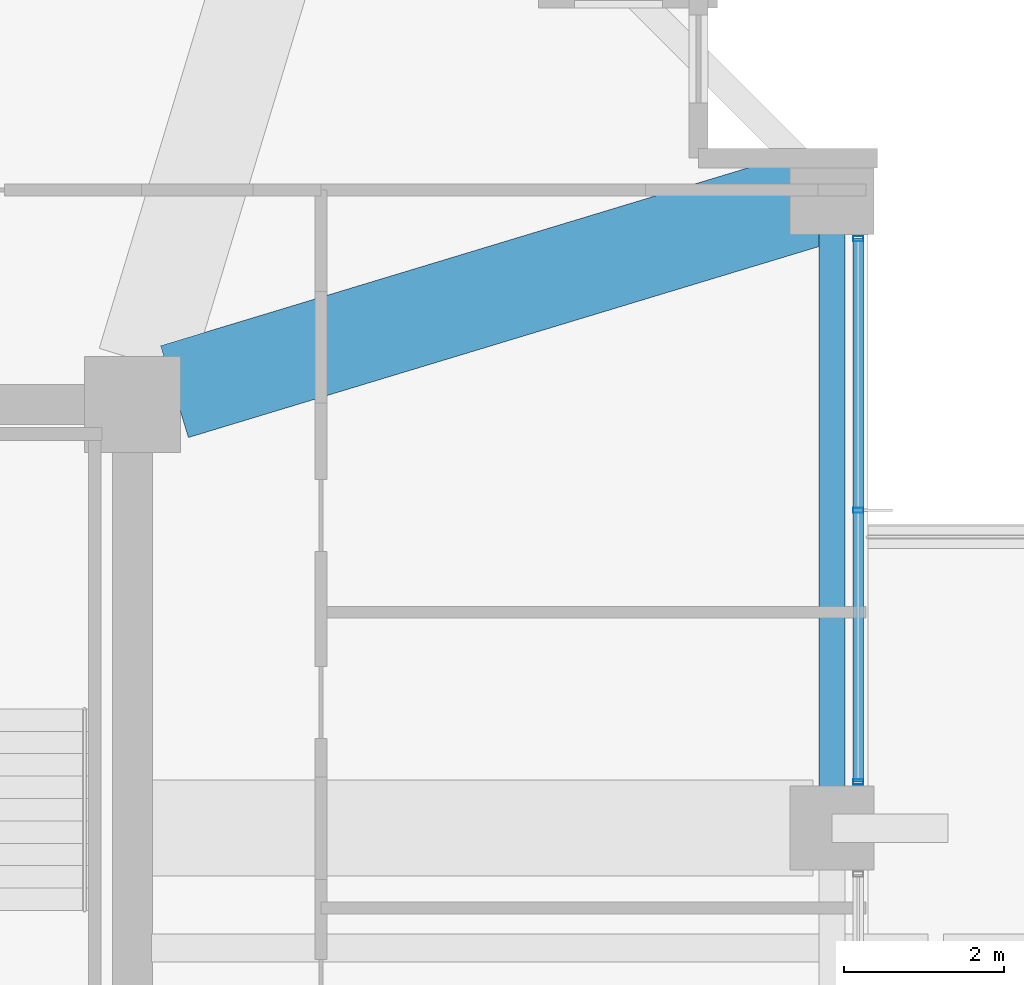
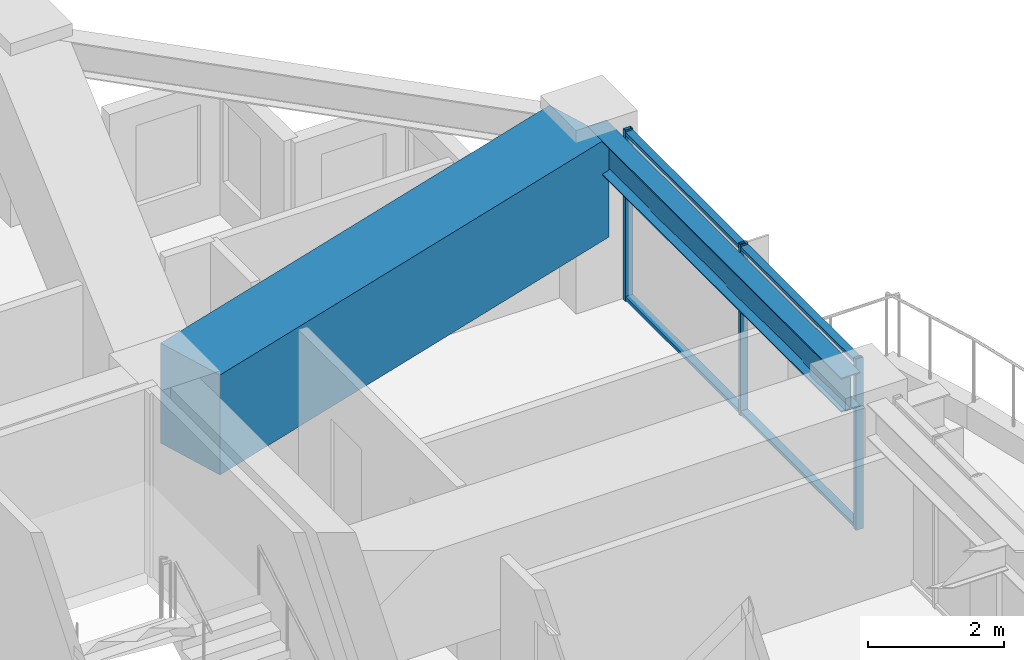
# One storey, part 19 of 36: 5 members, 2 beams, 1 element without a shape of its own.
"""IFC4 building model written with IfcOpenShell, lengths in metres."""

from ifc_helpers import new_model, si_unit, direction, frame, origin, origin_2d, place, context, subcontext, project, spatial, rectangle, hollow_rectangle, i_section, extrude, material, material_profile, profile_set, type_object, element, aggregate, save


model = new_model("IFC4")

# Units and contexts
model_context = context("Model", 3, precision=1e-05, world=origin(), true_north=direction((0.0, 1.0)))
body_context = subcontext(model_context, "Body", "Model", "MODEL_VIEW")
ifc_project = project(units=[si_unit("LENGTHUNIT", "METRE"), si_unit("AREAUNIT", "SQUARE_METRE"), si_unit("VOLUMEUNIT", "CUBIC_METRE"), si_unit("PLANEANGLEUNIT", "RADIAN"), si_unit("MASSUNIT", "GRAM", prefix="KILO")], contexts=[model_context])

# Site, building, storey
site_placement = place(None, origin())
site = spatial("IfcSite", under=ifc_project, at=site_placement, CompositionType="ELEMENT")
building_placement = place(site_placement, origin())
building = spatial("IfcBuilding", under=site, at=building_placement, Name="Kolvaren Belvedere", CompositionType="ELEMENT")
storey_placement = place(building_placement, frame((0.0, 0.0, 108.5)))
storey = spatial("IfcBuildingStorey", under=building, at=storey_placement, Name="L31", CompositionType="ELEMENT", Elevation=108.5)

# Beams
ifc_material_1 = material(Name="Structural steel ASTM A992 Grade 50", Category="steel")
ifc_material_profile_1 = material_profile(ifc_material_1, i_section(OverallWidth=0.324951171875, OverallDepth=0.615966796875, WebThickness=0.013916015625, FlangeThickness=0.021484375, FilletRadius=0.02001953125, at=origin_2d()), Name="W24X117")
ifc_profile_set_1 = profile_set([ifc_material_profile_1], Name="Structural steel ASTM A992 Grade 50")
beam_type_1 = type_object("IfcBeamType", Name="BM-SPAN-W24X117", PredefinedType="SPANDREL", material=ifc_profile_set_1)
beam_1_placement = place(storey_placement, frame((18.64990234375, 4.836181640625, 2.77197265625), z_axis=(0.0, 1.0, 0.0), x_axis=(-1.0, 0.0, 0.0)))
element("IfcBeam", 1, at=beam_1_placement, inside=storey, type_object=beam_type_1, Name="L31 Perimeter Spandrel E3-E4", PredefinedType="SPANDREL", context=body_context, shape_type="SweptSolid", body=[
    extrude(i_section(OverallWidth=0.324951171875, OverallDepth=0.615966796875, WebThickness=0.013916015625, FlangeThickness=0.021484375, FilletRadius=0.02001953125, at=origin_2d()), origin(), (0.0, 0.0, 1.0), 7.4775390625),
])
ifc_material_2 = material(Name="Concrete C50/60", Category="concrete")
ifc_material_profile_2 = material_profile(ifc_material_2, rectangle(XDim=1.199951171875, YDim=1.800048828125, at=origin_2d()), Name="RC 1200X1800")
ifc_profile_set_2 = profile_set([ifc_material_profile_2], Name="Concrete C50/60")
beam_type_2 = type_object("IfcBeamType", Name="BM-TG-1800", PredefinedType="BEAM", material=ifc_profile_set_2)
beam_2_placement = place(storey_placement, frame((10.426513671875, 10.059326171875, 2.179931640625), z_axis=(0.957069465398, 0.289858652454, 0.0), x_axis=(-0.289858652454, 0.957069465398, 0.0)))
element("IfcBeam", 2, at=beam_2_placement, inside=storey, type_object=beam_type_2, Name="L31 Corner Core-to-Perimeter Girder CC3-E4", PredefinedType="BEAM", context=body_context, shape_type="SweptSolid", body=[
    extrude(rectangle(XDim=1.199951171875, YDim=1.800048828125, at=origin_2d()), origin(), (0.0, 0.0, 1.0), 8.38232421875),
])

# Curtain wall, members
ifc_material_3 = material(Name="Anodised pale-metal aluminium AA 6063-T6", Category="aluminium")
curtain_wall_type = type_object("IfcCurtainWallType", Name="CW-Z3-WAIST", PredefinedType="NOTDEFINED", material=ifc_material_3)
curtain_wall_placement = place(storey_placement, origin())
curtain_wall = element("IfcCurtainWall", 3, at=curtain_wall_placement, inside=storey, type_object=curtain_wall_type, Name="L31 Unitised Curtain Wall FCW-L31-E1-B1", PredefinedType="NOTDEFINED")
ifc_material_4 = material(Name="Anodised pale-metal aluminium AA 6063-T6", Category="aluminium")
ifc_material_profile_3 = material_profile(ifc_material_4, hollow_rectangle(XDim=0.06494140625, YDim=0.1298828125, WallThickness=0.00390625, at=origin_2d()), Name="ALU-MUL-130X65")
ifc_profile_set_3 = profile_set([ifc_material_profile_3], Name="Anodised pale-metal aluminium AA 6063-T6")
member_type_1 = type_object("IfcMemberType", Name="CW-MUL-130", PredefinedType="MULLION", material=ifc_profile_set_3)
member_1_placement = place(storey_placement, frame((18.97998046875, 11.972412109375, 0.0), z_axis=(0.0, 0.0, 1.0), x_axis=(0.0, 1.0, 0.0)))
member_1 = element("IfcMember", 4, at=member_1_placement, type_object=member_type_1, Name="FCW-L31-E1-B1 Unitised Mullion 1", PredefinedType="MULLION", context=body_context, shape_type="SweptSolid", body=[
    extrude(hollow_rectangle(XDim=0.06494140625, YDim=0.1298828125, WallThickness=0.00390625, at=origin_2d()), origin(), (0.0, 0.0, 1.0), 3.080078125),
])
member_2_placement = place(storey_placement, frame((18.97998046875, 8.574951171875, 0.0), z_axis=(0.0, 0.0, 1.0), x_axis=(0.0, 1.0, 0.0)))
member_2 = element("IfcMember", 5, at=member_2_placement, type_object=member_type_1, Name="FCW-L31-E1-B1 Unitised Mullion 2", PredefinedType="MULLION", context=body_context, shape_type="SweptSolid", body=[
    extrude(hollow_rectangle(XDim=0.06494140625, YDim=0.1298828125, WallThickness=0.00390625, at=origin_2d()), origin(), (0.0, 0.0, 1.0), 3.080078125),
])
member_3_placement = place(storey_placement, frame((18.97998046875, 5.177490234375, 0.0), z_axis=(0.0, 0.0, 1.0), x_axis=(0.0, 1.0, 0.0)))
member_3 = element("IfcMember", 6, at=member_3_placement, type_object=member_type_1, Name="FCW-L31-E1-B1 Unitised Mullion 3", PredefinedType="MULLION", context=body_context, shape_type="SweptSolid", body=[
    extrude(hollow_rectangle(XDim=0.06494140625, YDim=0.1298828125, WallThickness=0.00390625, at=origin_2d()), origin(), (0.0, 0.0, 1.0), 3.080078125),
])
ifc_material_5 = material(Name="Anodised pale-metal aluminium AA 6063-T6", Category="aluminium")
ifc_material_profile_4 = material_profile(ifc_material_5, hollow_rectangle(XDim=0.06005859375, YDim=0.1298828125, WallThickness=0.00390625, at=origin_2d()), Name="ALU-TRN-130X60")
ifc_profile_set_4 = profile_set([ifc_material_profile_4], Name="Anodised pale-metal aluminium AA 6063-T6")
member_type_2 = type_object("IfcMemberType", Name="CW-TRN-130", PredefinedType="USERDEFINED", material=ifc_profile_set_4)
member_4_placement = place(storey_placement, frame((18.97998046875, 11.972412109375, 0.06005859375), z_axis=(0.0, -1.0, 0.0), x_axis=(0.0, 0.0, 1.0)))
member_4 = element("IfcMember", 7, at=member_4_placement, type_object=member_type_2, Name="FCW-L31-E1-B1 Sill Transom", ObjectType="TRANSOM", PredefinedType="USERDEFINED", context=body_context, shape_type="SweptSolid", body=[
    extrude(hollow_rectangle(XDim=0.06005859375, YDim=0.1298828125, WallThickness=0.00390625, at=origin_2d()), origin(), (0.0, 0.0, 1.0), 6.794921875),
])
member_5_placement = place(storey_placement, frame((18.97998046875, 11.972412109375, 3.02001953125), z_axis=(0.0, -1.0, 0.0), x_axis=(0.0, 0.0, 1.0)))
member_5 = element("IfcMember", 8, at=member_5_placement, type_object=member_type_2, Name="FCW-L31-E1-B1 Head Transom", ObjectType="TRANSOM", PredefinedType="USERDEFINED", context=body_context, shape_type="SweptSolid", body=[
    extrude(hollow_rectangle(XDim=0.06005859375, YDim=0.1298828125, WallThickness=0.00390625, at=origin_2d()), origin(), (0.0, 0.0, 1.0), 6.794921875),
])
aggregate(curtain_wall, [member_1, member_2, member_3, member_4, member_5])

save(model, "model.ifc")
